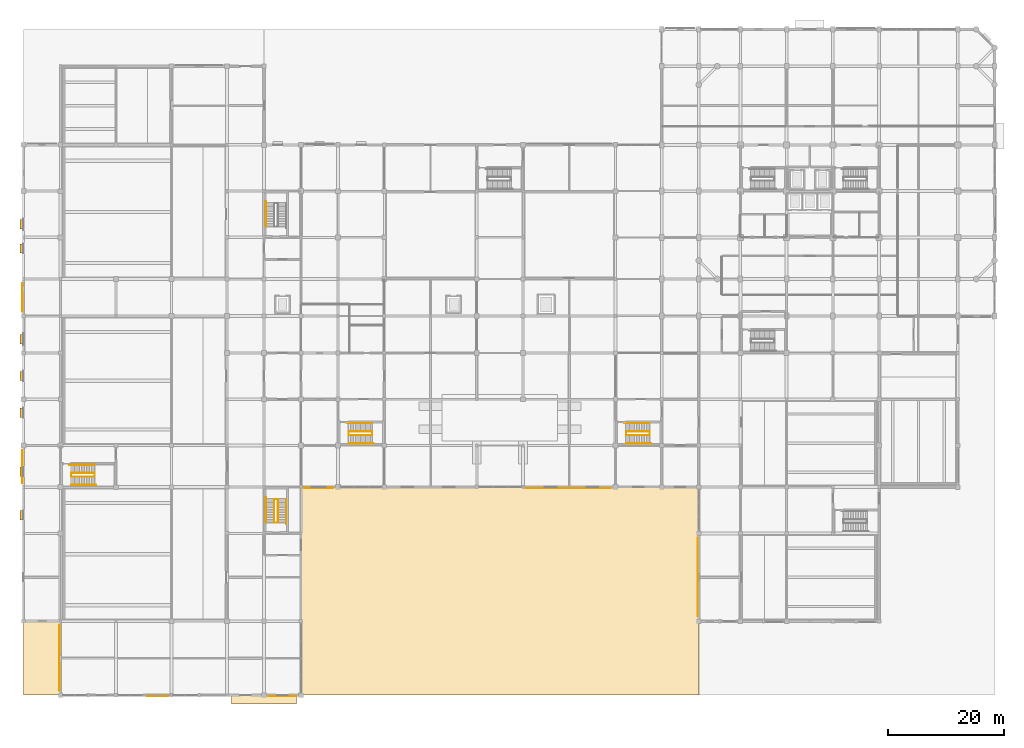
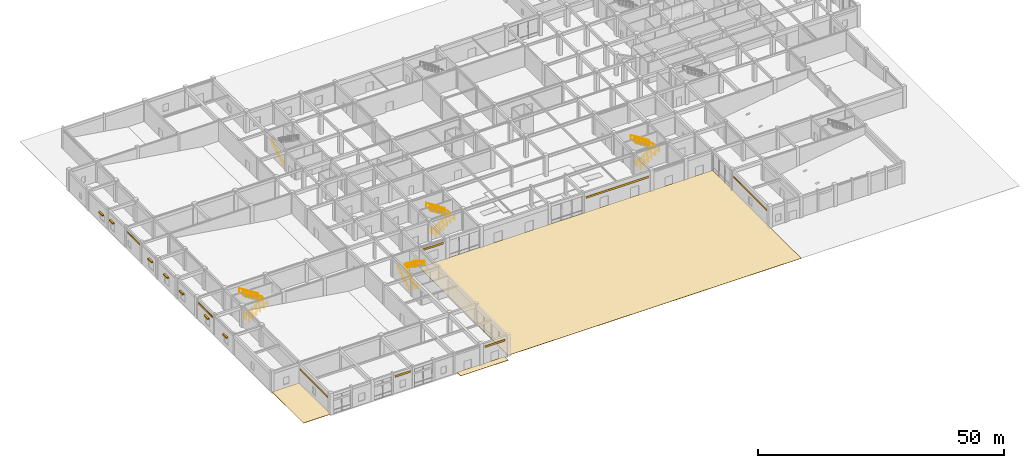
# One storey, part 37 of 40: 17 railings, 11 coverings, 7 shading devices.
"""IFC4 building model written with IfcOpenShell, lengths in metres."""

import ifcopenshell
import ifcopenshell.guid

model = None  # the IFC model being written
_history = None  # IfcOwnerHistory: only IFC2X3 demands one
_inside = {}  # id of a spatial element -> (the spatial element, [elements in it])
_under = {}  # id of a project, library or spatial element -> (it, [spatial elements below it])
_declared = {}  # id of a project -> (the project, [libraries it declares])
_typed = {}  # id of a type object -> (the type object, [elements of that type])
_made_of = {}  # id of a material, layer set ... -> (it, [elements and type objects made of it])


def new_model(schema):
    """Start an empty IFC model of exactly this schema.

    Asked for "IFC4X3", IfcOpenShell would pick the latest addendum, in which some entities
    have other attributes; the version numbers below select the first issue.
    IFC2X3 requires an IfcOwnerHistory on every rooted entity: one is made here for all.
    """
    global model, _history
    if schema == "IFC4X3":
        model = ifcopenshell.file(schema_version=(4, 3, 0, 0))
    else:
        model = ifcopenshell.file(schema=schema)
    _inside.clear()
    _under.clear()
    _declared.clear()
    _typed.clear()
    _made_of.clear()
    _history = None
    if model.schema == "IFC2X3":
        org = make("IfcOrganization", Name="unknown")
        user = make(
            "IfcPersonAndOrganization",
            ThePerson=make("IfcPerson", FamilyName="unknown"),
            TheOrganization=org,
        )
        app = make(
            "IfcApplication",
            ApplicationDeveloper=org,
            Version="unknown",
            ApplicationFullName="unknown",
            ApplicationIdentifier="unknown",
        )
        _history = make(
            "IfcOwnerHistory",
            OwningUser=user,
            OwningApplication=app,
            ChangeAction="ADDED",
            CreationDate=0,
        )
    return model


def make(cls, **values):
    """One entity of the class cls with the attributes given. An attribute that is None is left unset."""
    return model.create_entity(
        cls, **{name: value for name, value in values.items() if value is not None}
    )


def rooted(cls, **values):
    """An entity with a GlobalId (a new one), such as an element, a storey or a relation."""
    return make(cls, GlobalId=ifcopenshell.guid.new(), OwnerHistory=_history, **values)


def si_unit(unit_type, name, prefix=None):
    """IfcSIUnit, for example si_unit("LENGTHUNIT", "METRE", prefix="MILLI")."""
    return make("IfcSIUnit", UnitType=unit_type, Prefix=prefix, Name=name)


def assignment(units):
    """IfcUnitAssignment: the units of a project."""
    return None if units is None else make("IfcUnitAssignment", Units=units)


def point(xyz):
    """IfcCartesianPoint."""
    return None if xyz is None else make("IfcCartesianPoint", Coordinates=xyz)


def direction(xyz):
    """IfcDirection."""
    return None if xyz is None else make("IfcDirection", DirectionRatios=xyz)


def frame(location, z_axis=None, x_axis=None):
    """IfcAxis2Placement3D, a coordinate frame: its origin and axes. An axis left out is left unset."""
    return make(
        "IfcAxis2Placement3D",
        Location=point(location),
        Axis=direction(z_axis),
        RefDirection=direction(x_axis),
    )


def frame_2d(location, x_axis=None):
    """IfcAxis2Placement2D, a coordinate frame in the plane: its origin and x axis."""
    return make(
        "IfcAxis2Placement2D", Location=point(location), RefDirection=direction(x_axis)
    )


def origin():
    """The frame at (0, 0, 0) with its axes left unset."""
    return frame((0.0, 0.0, 0.0))


def origin_2d():
    """The frame at (0, 0) in the plane with its x axis left unset."""
    return frame_2d((0.0, 0.0))


def place(relative_to, where):
    """IfcLocalPlacement: puts the frame where relative to a parent placement (None: the world)."""
    return make(
        "IfcLocalPlacement", PlacementRelTo=relative_to, RelativePlacement=where
    )


def context(
    kind, dimensions, precision=None, world=None, true_north=None, identifier=None
):
    """IfcGeometricRepresentationContext, for example the 3D "Model" context."""
    return make(
        "IfcGeometricRepresentationContext",
        ContextIdentifier=identifier,
        ContextType=kind,
        CoordinateSpaceDimension=dimensions,
        Precision=precision,
        WorldCoordinateSystem=world,
        TrueNorth=true_north,
    )


def subcontext(parent, identifier, kind, view, scale=None):
    """IfcGeometricRepresentationSubContext, for example "Body" below "Model"."""
    return make(
        "IfcGeometricRepresentationSubContext",
        ContextIdentifier=identifier,
        ContextType=kind,
        ParentContext=parent,
        TargetScale=scale,
        TargetView=view,
    )


def project(units=None, contexts=None):
    """IfcProject with its units and contexts."""
    return rooted(
        "IfcProject",
        Name="project",
        RepresentationContexts=contexts,
        UnitsInContext=assignment(units),
    )


def spatial(cls, under=None, at=None, **own):
    """A site, building, storey or space (cls), placed at a placement, below another one or the project."""
    s = rooted(cls, ObjectPlacement=at, **own)
    if under is not None:
        _under.setdefault(under.id(), (under, []))[1].append(s)
    return s


def polyline(points):
    """IfcPolyline through the points."""
    return make("IfcPolyline", Points=[point(p) for p in points])


def profile(cls, at=None, kind="AREA", **sizes):
    """A parametric profile (cls). Its sizes go by their IFC names, for example OverallWidth=200.0."""
    return make(cls, ProfileType=kind, Position=at, **sizes)


def rectangle(**sizes):
    """IfcRectangleProfileDef."""
    return profile("IfcRectangleProfileDef", **sizes)


def circle(**sizes):
    """IfcCircleProfileDef."""
    return profile("IfcCircleProfileDef", **sizes)


def outline(outer, holes=None, kind="AREA"):
    """IfcArbitraryClosedProfileDef: a profile drawn as a closed curve; with holes, ...WithVoids."""
    if holes is None:
        return make("IfcArbitraryClosedProfileDef", ProfileType=kind, OuterCurve=outer)
    return make(
        "IfcArbitraryProfileDefWithVoids",
        ProfileType=kind,
        OuterCurve=outer,
        InnerCurves=holes,
    )


def extrude(swept, where, along, depth):
    """IfcExtrudedAreaSolid: the profile swept, set in the frame where, extruded along a direction by depth."""
    return make(
        "IfcExtrudedAreaSolid",
        SweptArea=swept,
        Position=where,
        ExtrudedDirection=direction(along),
        Depth=depth,
    )


def shape(context_of_items, identifier, shape_type, items):
    """IfcShapeRepresentation: the items that make up one representation, for example the "Body"."""
    return make(
        "IfcShapeRepresentation",
        ContextOfItems=context_of_items,
        RepresentationIdentifier=identifier,
        RepresentationType=shape_type,
        Items=items,
    )


def material(Name=None, Category=None):
    """IfcMaterial."""
    return make("IfcMaterial", Name=Name, Category=Category)


def layer(
    of_material, thickness, ventilated=None, Name=None, Category=None, Priority=None
):
    """IfcMaterialLayer: one layer of a wall or slab, of a material (None: an air gap)."""
    return make(
        "IfcMaterialLayer",
        Material=of_material,
        LayerThickness=thickness,
        IsVentilated=ventilated,
        Name=Name,
        Category=Category,
        Priority=Priority,
    )


def layer_set(layers, Name=None):
    """IfcMaterialLayerSet."""
    return make("IfcMaterialLayerSet", MaterialLayers=layers, LayerSetName=Name)


def made_of(thing, what):
    """Note that an element or type object is made of a material, layer set ...; save() writes the relation."""
    if what is not None:
        _made_of.setdefault(what.id(), (what, []))[1].append(thing)
    return thing


def type_object(cls, material=None, **own):
    """A type object (cls), such as IfcWallType, which elements share."""
    return made_of(rooted(cls, **own), material)


def element(
    cls,
    number,
    at=None,
    inside=None,
    cuts=None,
    type_object=None,
    material=None,
    context=None,
    identifier="Body",
    shape_type=None,
    held_by="IfcProductDefinitionShape",
    body=None,
    shapes=None,
    **own,
):
    """One element of the class cls, such as IfcWall. Its Tag is "e" and its number.

    at: its placement. inside: the storey or other place that contains it. cuts: it is an
    opening in that element (IfcRelVoidsElement). A single representation is given by context,
    identifier, shape_type and body (its items); several are given by shapes. held_by: the class
    of the entity that holds the representations. save() writes the other relations.
    """
    e = rooted(cls, Tag="e%d" % number, ObjectPlacement=at, **own)
    if body is not None:
        shapes = [shape(context, identifier, shape_type, body)]
    if shapes is not None:
        e.Representation = make(held_by, Representations=shapes)
    if inside is not None:
        _inside.setdefault(inside.id(), (inside, []))[1].append(e)
    if cuts is not None:
        rooted(
            "IfcRelVoidsElement", RelatingBuildingElement=cuts, RelatedOpeningElement=e
        )
    if type_object is not None:
        _typed.setdefault(type_object.id(), (type_object, []))[1].append(e)
    return made_of(e, material)


def aggregate(whole, parts):
    """IfcRelAggregates: a whole, such as a stair, and the parts it consists of."""
    return rooted("IfcRelAggregates", RelatingObject=whole, RelatedObjects=parts)


def save(model, path):
    """Write the relations noted so far, then the file.

    IfcRelAggregates (storeys below a building ...), IfcRelContainedInSpatialStructure (elements
    in a storey), IfcRelDefinesByType, IfcRelAssociatesMaterial and IfcRelDeclares: one each for
    every whole, place, type object, material and project.
    """
    for whole, parts in _under.values():
        aggregate(whole, parts)
    for where, things in _inside.values():
        rooted(
            "IfcRelContainedInSpatialStructure",
            RelatedElements=things,
            RelatingStructure=where,
        )
    for kind, things in _typed.values():
        rooted("IfcRelDefinesByType", RelatedObjects=things, RelatingType=kind)
    for what, things in _made_of.values():
        rooted("IfcRelAssociatesMaterial", RelatedObjects=things, RelatingMaterial=what)
    for by, libraries in _declared.values():
        rooted("IfcRelDeclares", RelatingContext=by, RelatedDefinitions=libraries)
    model.write(path)


model = new_model("IFC4")

# Units and contexts
model_context = context("Model", 3, precision=1e-05, world=origin(), true_north=direction((0.0, 1.0)))
body_context = subcontext(model_context, "Body", "Model", "MODEL_VIEW")
ifc_project = project(units=[si_unit("LENGTHUNIT", "METRE"), si_unit("AREAUNIT", "SQUARE_METRE"), si_unit("VOLUMEUNIT", "CUBIC_METRE"), si_unit("PLANEANGLEUNIT", "RADIAN"), si_unit("MASSUNIT", "GRAM", prefix="KILO")], contexts=[model_context])

# Site, building, storey
site_placement = place(None, origin())
site = spatial("IfcSite", under=ifc_project, at=site_placement, CompositionType="ELEMENT")
building_placement = place(site_placement, origin())
building = spatial("IfcBuilding", under=site, at=building_placement, Name="Vellmiral Cinema and Media Centre", CompositionType="ELEMENT")
storey_placement = place(building_placement, origin())
storey = spatial("IfcBuildingStorey", under=building, at=storey_placement, Name="L00", CompositionType="ELEMENT", Elevation=0.0)

# Coverings
ifc_material_1 = material(Name="Basel Rhine Sandstone Paving", Category="masonry")
ifc_layer_1 = layer(ifc_material_1, 0.06005859375, Name="Basel Rhine Sandstone Paving")
ifc_layer_set_1 = layer_set([ifc_layer_1], Name="Basel Rhine Sandstone Paving")
covering_type_1 = type_object("IfcCoveringType", Name="COV-PROM-PAVING", PredefinedType="USERDEFINED", material=ifc_layer_set_1)
covering_1_placement = place(storey_placement, frame((0.0, 0.0, -0.06005859375)))
element("IfcCovering", 1, at=covering_1_placement, inside=storey, type_object=covering_type_1, Name="Rhine Promenade and Courtyard Stone Paving SOUTH-FORECOURT", ObjectType="PAVING", PredefinedType="USERDEFINED", context=body_context, shape_type="SweptSolid", body=[
    extrude(outline(polyline([(48.0, 0.0), (116.800048828125, 0.0), (116.800048828125, 36.0), (48.0, 36.0), (48.0, 0.0)])), origin(), (0.0, 0.0, 1.0), 0.06005859375),
])
covering_2_placement = place(storey_placement, frame((0.0, 0.0, -0.06005859375)))
element("IfcCovering", 2, at=covering_2_placement, inside=storey, type_object=covering_type_1, Name="Rhine Promenade and Courtyard Stone Paving SW-PROMENADE", ObjectType="PAVING", PredefinedType="USERDEFINED", context=body_context, shape_type="SweptSolid", body=[
    extrude(outline(polyline([(0.0, 0.0), (6.39990234375, 0.0), (6.39990234375, 12.800048828125), (0.0, 12.800048828125), (0.0, 0.0)])), origin(), (0.0, 0.0, 1.0), 0.06005859375),
])
covering_3_placement = place(storey_placement, frame((0.0, 0.0, -0.06005859375)))
element("IfcCovering", 3, at=covering_3_placement, inside=storey, type_object=covering_type_1, Name="Rhine Promenade and Courtyard Stone Paving SW-THRESHOLD", ObjectType="PAVING", PredefinedType="USERDEFINED", context=body_context, shape_type="SweptSolid", body=[
    extrude(outline(polyline([(36.0, -1.5), (47.199951171875, -1.5), (47.199951171875, 0.0), (36.0, 0.0), (36.0, -1.5)])), origin(), (0.0, 0.0, 1.0), 0.06005859375),
])
ifc_material_2 = material(Name="Polychrome Trencadis Ceramic Mosaic")
ifc_layer_2 = layer(ifc_material_2, 0.034912109375, Name="Polychrome Trencadis Ceramic Mosaic")
ifc_layer_set_2 = layer_set([ifc_layer_2], Name="Polychrome Trencadis Ceramic Mosaic")
covering_type_2 = type_object("IfcCoveringType", Name="COV-TRENCADIS-CLAD", PredefinedType="CLADDING", material=ifc_layer_set_2)
covering_4_placement = place(storey_placement, frame((0.0, 0.0, 3.9599609375)))
element("IfcCovering", 4, at=covering_4_placement, inside=storey, type_object=covering_type_2, Name="Trencadis Spandrel Mosaic L00-004", PredefinedType="CLADDING", context=body_context, shape_type="SweptSolid", body=[
    extrude(outline(polyline([(21.375, -0.2080078125), (25.0, -0.2080078125), (25.0, -0.173095703125), (21.375, -0.173095703125), (21.375, -0.2080078125)])), origin(), (0.0, 0.0, 1.0), 0.47998046875),
])
covering_5_placement = place(storey_placement, frame((0.0, 0.0, 3.945068359375)))
element("IfcCovering", 5, at=covering_5_placement, inside=storey, type_object=covering_type_2, Name="Trencadis Spandrel Mosaic L00-008", PredefinedType="CLADDING", context=body_context, shape_type="SweptSolid", body=[
    extrude(outline(polyline([(42.425048828125, -0.2080078125), (47.199951171875, -0.2080078125), (47.199951171875, -0.173095703125), (42.425048828125, -0.173095703125), (42.425048828125, -0.2080078125)])), origin(), (0.0, 0.0, 1.0), 0.47998046875),
])
covering_6_placement = place(storey_placement, frame((0.0, 0.0, 3.9599609375)))
element("IfcCovering", 6, at=covering_6_placement, inside=storey, type_object=covering_type_2, Name="Trencadis Spandrel Mosaic L00-012", PredefinedType="CLADDING", context=body_context, shape_type="SweptSolid", body=[
    extrude(outline(polyline([(48.60009765625, 35.822021484375), (53.574951171875, 35.822021484375), (53.574951171875, 35.85693359375), (48.60009765625, 35.85693359375), (48.60009765625, 35.822021484375)])), origin(), (0.0, 0.0, 1.0), 0.47998046875),
])
covering_7_placement = place(storey_placement, frame((0.0, 0.0, 3.544921875)))
element("IfcCovering", 7, at=covering_7_placement, inside=storey, type_object=covering_type_2, Name="Trencadis Spandrel Mosaic L00-016", PredefinedType="CLADDING", context=body_context, shape_type="SweptSolid", body=[
    extrude(outline(polyline([(87.0, 35.7919921875), (101.574951171875, 35.7919921875), (101.574951171875, 35.826904296875), (87.0, 35.826904296875), (87.0, 35.7919921875)])), origin(), (0.0, 0.0, 1.0), 0.47998046875),
])
covering_8_placement = place(storey_placement, frame((0.0, 0.0, 3.4951171875)))
element("IfcCovering", 8, at=covering_8_placement, inside=storey, type_object=covering_type_2, Name="Trencadis Spandrel Mosaic L00-020", PredefinedType="CLADDING", context=body_context, shape_type="SweptSolid", body=[
    extrude(outline(polyline([(116.592041015625, 27.22509765625), (116.592041015625, 13.625), (116.626953125, 13.625), (116.626953125, 27.22509765625), (116.592041015625, 27.22509765625)])), origin(), (0.0, 0.0, 1.0), 0.47998046875),
])
covering_9_placement = place(storey_placement, frame((0.0, 0.0, 3.9599609375)))
element("IfcCovering", 9, at=covering_9_placement, inside=storey, type_object=covering_type_2, Name="Trencadis Spandrel Mosaic L00-072", PredefinedType="CLADDING", context=body_context, shape_type="SweptSolid", body=[
    extrude(outline(polyline([(-0.177978515625, 71.300048828125), (-0.177978515625, 66.324951171875), (-0.14306640625, 66.324951171875), (-0.14306640625, 71.300048828125), (-0.177978515625, 71.300048828125)])), origin(), (0.0, 0.0, 1.0), 0.47998046875),
])
covering_10_placement = place(storey_placement, frame((0.0, 0.0, 3.945068359375)))
element("IfcCovering", 10, at=covering_10_placement, inside=storey, type_object=covering_type_2, Name="Trencadis Spandrel Mosaic L00-076", PredefinedType="CLADDING", context=body_context, shape_type="SweptSolid", body=[
    extrude(outline(polyline([(-0.2080078125, 42.375), (-0.2080078125, 36.64990234375), (-0.173095703125, 36.64990234375), (-0.173095703125, 42.375), (-0.2080078125, 42.375)])), origin(), (0.0, 0.0, 1.0), 0.47998046875),
])
covering_11_placement = place(storey_placement, frame((0.0, 0.0, 3.544921875)))
element("IfcCovering", 11, at=covering_11_placement, inside=storey, type_object=covering_type_2, Name="Trencadis Spandrel Mosaic L00-080", PredefinedType="CLADDING", context=body_context, shape_type="SweptSolid", body=[
    extrude(outline(polyline([(6.19189453125, 12.10009765625), (6.19189453125, 0.77490234375), (6.22705078125, 0.77490234375), (6.22705078125, 12.10009765625), (6.19189453125, 12.10009765625)])), origin(), (0.0, 0.0, 1.0), 0.47998046875),
])

# Railings
ifc_material_3 = material(Name="Brushed Stainless Steel Handrail", Category="steel")
railing_type_1 = type_object("IfcRailingType", Name="RL-HANDRAIL-900", PredefinedType="HANDRAIL", material=ifc_material_3)
railing_1_placement = place(storey_placement, frame((41.9599609375, 29.85009765625, 0.179931640625)))
element("IfcRailing", 12, at=railing_1_placement, inside=storey, type_object=railing_type_1, Name="Stair Wall Handrail ST-P1 L00-1", PredefinedType="HANDRAIL", context=body_context, shape_type="SweptSolid", body=[
    extrude(circle(Radius=0.02392578125, at=origin_2d()), frame((0.0, 0.0, 0.8759765625), z_axis=(0.0, 0.849636482215, 0.527368797038), x_axis=(-1.0, 0.0, 0.0)), (0.0, 0.0, 1.0), 5.11962890625),
    extrude(circle(Radius=0.02099609375, at=origin_2d()), origin(), (0.0, 0.0, 1.0), 0.851806640625),
    extrude(circle(Radius=0.02099609375, at=origin_2d()), frame((0.0, 0.869873046875, 0.5400390625)), (0.0, 0.0, 1.0), 0.851806640625),
    extrude(circle(Radius=0.02099609375, at=origin_2d()), frame((0.0, 1.739990234375, 1.080078125)), (0.0, 0.0, 1.0), 0.851806640625),
    extrude(circle(Radius=0.02099609375, at=origin_2d()), frame((0.0, 2.60986328125, 1.619873046875)), (0.0, 0.0, 1.0), 0.851806640625),
    extrude(circle(Radius=0.02099609375, at=origin_2d()), frame((0.0, 3.47998046875, 2.159912109375)), (0.0, 0.0, 1.0), 0.851806640625),
    extrude(circle(Radius=0.02099609375, at=origin_2d()), frame((0.0, 4.349853515625, 2.699951171875)), (0.0, 0.0, 1.0), 0.851806640625),
])
railing_2_placement = place(storey_placement, frame((45.43994140625, 33.909912109375, 2.8798828125)))
element("IfcRailing", 13, at=railing_2_placement, inside=storey, type_object=railing_type_1, Name="Stair Wall Handrail ST-P1 L00-2", PredefinedType="HANDRAIL", context=body_context, shape_type="SweptSolid", body=[
    extrude(circle(Radius=0.02392578125, at=origin_2d()), frame((0.0, 0.0, 0.8759765625), z_axis=(0.0, -0.849615114927, 0.52740322002), x_axis=(1.0, 0.0, 0.0)), (0.0, 0.0, 1.0), 5.119873046875),
    extrude(circle(Radius=0.02099609375, at=origin_2d()), origin(), (0.0, 0.0, 1.0), 0.851806640625),
    extrude(circle(Radius=0.02099609375, at=origin_2d()), frame((0.0, -0.869873046875, 0.5400390625)), (0.0, 0.0, 1.0), 0.851806640625),
    extrude(circle(Radius=0.02099609375, at=origin_2d()), frame((0.0, -1.739990234375, 1.080078125)), (0.0, 0.0, 1.0), 0.851806640625),
    extrude(circle(Radius=0.02099609375, at=origin_2d()), frame((0.0, -2.60986328125, 1.6201171875)), (0.0, 0.0, 1.0), 0.851806640625),
    extrude(circle(Radius=0.02099609375, at=origin_2d()), frame((0.0, -3.47998046875, 2.16015625)), (0.0, 0.0, 1.0), 0.851806640625),
    extrude(circle(Radius=0.02099609375, at=origin_2d()), frame((0.0, -4.349853515625, 2.7001953125)), (0.0, 0.0, 1.0), 0.851806640625),
])
railing_3_placement = place(storey_placement, frame((41.9599609375, 81.050048828125, 0.179931640625)))
element("IfcRailing", 14, at=railing_3_placement, inside=storey, type_object=railing_type_1, Name="Stair Wall Handrail ST-P2 L00-1", PredefinedType="HANDRAIL", context=body_context, shape_type="SweptSolid", body=[
    extrude(circle(Radius=0.02392578125, at=origin_2d()), frame((0.0, 0.0, 0.8759765625), z_axis=(0.0, 0.849636482215, 0.527368797038), x_axis=(-1.0, 0.0, 0.0)), (0.0, 0.0, 1.0), 5.11962890625),
    extrude(circle(Radius=0.02099609375, at=origin_2d()), origin(), (0.0, 0.0, 1.0), 0.851806640625),
    extrude(circle(Radius=0.02099609375, at=origin_2d()), frame((0.0, 0.869873046875, 0.5400390625)), (0.0, 0.0, 1.0), 0.851806640625),
    extrude(circle(Radius=0.02099609375, at=origin_2d()), frame((0.0, 1.739990234375, 1.080078125)), (0.0, 0.0, 1.0), 0.851806640625),
    extrude(circle(Radius=0.02099609375, at=origin_2d()), frame((0.0, 2.60986328125, 1.619873046875)), (0.0, 0.0, 1.0), 0.851806640625),
    extrude(circle(Radius=0.02099609375, at=origin_2d()), frame((0.0, 3.47998046875, 2.159912109375)), (0.0, 0.0, 1.0), 0.851806640625),
    extrude(circle(Radius=0.02099609375, at=origin_2d()), frame((0.0, 4.349853515625, 2.699951171875)), (0.0, 0.0, 1.0), 0.851806640625),
])
railing_4_placement = place(storey_placement, frame((56.25, 43.56005859375, 0.179931640625)))
element("IfcRailing", 15, at=railing_4_placement, inside=storey, type_object=railing_type_1, Name="Stair Wall Handrail ST-P3 L00-1", PredefinedType="HANDRAIL", context=body_context, shape_type="SweptSolid", body=[
    extrude(circle(Radius=0.02392578125, at=origin_2d()), frame((0.0, 0.0, 0.8759765625), z_axis=(0.849649743971, 0.0, 0.527347430608), x_axis=(0.0, 1.0, 0.0)), (0.0, 0.0, 1.0), 5.119873046875),
    extrude(circle(Radius=0.02099609375, at=origin_2d()), origin(), (0.0, 0.0, 1.0), 0.851806640625),
    extrude(circle(Radius=0.02099609375, at=origin_2d()), frame((0.8701171875, 0.0, 0.5400390625)), (0.0, 0.0, 1.0), 0.851806640625),
    extrude(circle(Radius=0.02099609375, at=origin_2d()), frame((1.739990234375, 0.0, 1.080078125)), (0.0, 0.0, 1.0), 0.851806640625),
    extrude(circle(Radius=0.02099609375, at=origin_2d()), frame((2.610107421875, 0.0, 1.619873046875)), (0.0, 0.0, 1.0), 0.851806640625),
    extrude(circle(Radius=0.02099609375, at=origin_2d()), frame((3.47998046875, 0.0, 2.159912109375)), (0.0, 0.0, 1.0), 0.851806640625),
    extrude(circle(Radius=0.02099609375, at=origin_2d()), frame((4.35009765625, 0.0, 2.699951171875)), (0.0, 0.0, 1.0), 0.851806640625),
])
railing_5_placement = place(storey_placement, frame((60.31005859375, 47.0400390625, 2.8798828125)))
element("IfcRailing", 16, at=railing_5_placement, inside=storey, type_object=railing_type_1, Name="Stair Wall Handrail ST-P3 L00-2", PredefinedType="HANDRAIL", context=body_context, shape_type="SweptSolid", body=[
    extrude(circle(Radius=0.02392578125, at=origin_2d()), frame((0.0, 0.0, 0.8759765625), z_axis=(-0.849628378081, 0.0, 0.527381853271), x_axis=(0.0, -1.0, 0.0)), (0.0, 0.0, 1.0), 5.1201171875),
    extrude(circle(Radius=0.02099609375, at=origin_2d()), origin(), (0.0, 0.0, 1.0), 0.851806640625),
    extrude(circle(Radius=0.02099609375, at=origin_2d()), frame((-0.8701171875, 0.0, 0.5400390625)), (0.0, 0.0, 1.0), 0.851806640625),
    extrude(circle(Radius=0.02099609375, at=origin_2d()), frame((-1.739990234375, 0.0, 1.080078125)), (0.0, 0.0, 1.0), 0.851806640625),
    extrude(circle(Radius=0.02099609375, at=origin_2d()), frame((-2.610107421875, 0.0, 1.6201171875)), (0.0, 0.0, 1.0), 0.851806640625),
    extrude(circle(Radius=0.02099609375, at=origin_2d()), frame((-3.47998046875, 0.0, 2.16015625)), (0.0, 0.0, 1.0), 0.851806640625),
    extrude(circle(Radius=0.02099609375, at=origin_2d()), frame((-4.35009765625, 0.0, 2.7001953125)), (0.0, 0.0, 1.0), 0.851806640625),
])
railing_6_placement = place(storey_placement, frame((104.25, 43.56005859375, 0.179931640625)))
element("IfcRailing", 17, at=railing_6_placement, inside=storey, type_object=railing_type_1, Name="Stair Wall Handrail ST-P4 L00-1", PredefinedType="HANDRAIL", context=body_context, shape_type="SweptSolid", body=[
    extrude(circle(Radius=0.02392578125, at=origin_2d()), frame((0.0, 0.0, 0.8759765625), z_axis=(0.849649743971, 0.0, 0.527347430608), x_axis=(0.0, 1.0, 0.0)), (0.0, 0.0, 1.0), 5.119873046875),
    extrude(circle(Radius=0.02099609375, at=origin_2d()), origin(), (0.0, 0.0, 1.0), 0.851806640625),
    extrude(circle(Radius=0.02099609375, at=origin_2d()), frame((0.8701171875, 0.0, 0.5400390625)), (0.0, 0.0, 1.0), 0.851806640625),
    extrude(circle(Radius=0.02099609375, at=origin_2d()), frame((1.739990234375, 0.0, 1.080078125)), (0.0, 0.0, 1.0), 0.851806640625),
    extrude(circle(Radius=0.02099609375, at=origin_2d()), frame((2.610107421875, 0.0, 1.619873046875)), (0.0, 0.0, 1.0), 0.851806640625),
    extrude(circle(Radius=0.02099609375, at=origin_2d()), frame((3.47998046875, 0.0, 2.159912109375)), (0.0, 0.0, 1.0), 0.851806640625),
    extrude(circle(Radius=0.02099609375, at=origin_2d()), frame((4.35009765625, 0.0, 2.699951171875)), (0.0, 0.0, 1.0), 0.851806640625),
])
railing_7_placement = place(storey_placement, frame((108.31005859375, 47.0400390625, 2.8798828125)))
element("IfcRailing", 18, at=railing_7_placement, inside=storey, type_object=railing_type_1, Name="Stair Wall Handrail ST-P4 L00-2", PredefinedType="HANDRAIL", context=body_context, shape_type="SweptSolid", body=[
    extrude(circle(Radius=0.02392578125, at=origin_2d()), frame((0.0, 0.0, 0.8759765625), z_axis=(-0.849628378081, 0.0, 0.527381853271), x_axis=(0.0, -1.0, 0.0)), (0.0, 0.0, 1.0), 5.1201171875),
    extrude(circle(Radius=0.02099609375, at=origin_2d()), origin(), (0.0, 0.0, 1.0), 0.851806640625),
    extrude(circle(Radius=0.02099609375, at=origin_2d()), frame((-0.8701171875, 0.0, 0.5400390625)), (0.0, 0.0, 1.0), 0.851806640625),
    extrude(circle(Radius=0.02099609375, at=origin_2d()), frame((-1.739990234375, 0.0, 1.080078125)), (0.0, 0.0, 1.0), 0.851806640625),
    extrude(circle(Radius=0.02099609375, at=origin_2d()), frame((-2.610107421875, 0.0, 1.6201171875)), (0.0, 0.0, 1.0), 0.851806640625),
    extrude(circle(Radius=0.02099609375, at=origin_2d()), frame((-3.47998046875, 0.0, 2.16015625)), (0.0, 0.0, 1.0), 0.851806640625),
    extrude(circle(Radius=0.02099609375, at=origin_2d()), frame((-4.35009765625, 0.0, 2.7001953125)), (0.0, 0.0, 1.0), 0.851806640625),
])
railing_8_placement = place(storey_placement, frame((8.25, 36.360107421875, 0.179931640625)))
element("IfcRailing", 19, at=railing_8_placement, inside=storey, type_object=railing_type_1, Name="Stair Wall Handrail ST-P7 L00-1", PredefinedType="HANDRAIL", context=body_context, shape_type="SweptSolid", body=[
    extrude(circle(Radius=0.02392578125, at=origin_2d()), frame((0.0, 0.0, 0.8759765625), z_axis=(0.849649743971, 0.0, 0.527347430608), x_axis=(0.0, 1.0, 0.0)), (0.0, 0.0, 1.0), 5.119873046875),
    extrude(circle(Radius=0.02099609375, at=origin_2d()), origin(), (0.0, 0.0, 1.0), 0.851806640625),
    extrude(circle(Radius=0.02099609375, at=origin_2d()), frame((0.8701171875, 0.0, 0.5400390625)), (0.0, 0.0, 1.0), 0.851806640625),
    extrude(circle(Radius=0.02099609375, at=origin_2d()), frame((1.739990234375, 0.0, 1.080078125)), (0.0, 0.0, 1.0), 0.851806640625),
    extrude(circle(Radius=0.02099609375, at=origin_2d()), frame((2.610107421875, 0.0, 1.619873046875)), (0.0, 0.0, 1.0), 0.851806640625),
    extrude(circle(Radius=0.02099609375, at=origin_2d()), frame((3.47998046875, 0.0, 2.159912109375)), (0.0, 0.0, 1.0), 0.851806640625),
    extrude(circle(Radius=0.02099609375, at=origin_2d()), frame((4.35009765625, 0.0, 2.699951171875)), (0.0, 0.0, 1.0), 0.851806640625),
])
railing_9_placement = place(storey_placement, frame((12.31005859375, 39.840087890625, 2.8798828125)))
element("IfcRailing", 20, at=railing_9_placement, inside=storey, type_object=railing_type_1, Name="Stair Wall Handrail ST-P7 L00-2", PredefinedType="HANDRAIL", context=body_context, shape_type="SweptSolid", body=[
    extrude(circle(Radius=0.02392578125, at=origin_2d()), frame((0.0, 0.0, 0.8759765625), z_axis=(-0.849628378081, 0.0, 0.527381853271), x_axis=(0.0, -1.0, 0.0)), (0.0, 0.0, 1.0), 5.1201171875),
    extrude(circle(Radius=0.02099609375, at=origin_2d()), origin(), (0.0, 0.0, 1.0), 0.851806640625),
    extrude(circle(Radius=0.02099609375, at=origin_2d()), frame((-0.8701171875, 0.0, 0.5400390625)), (0.0, 0.0, 1.0), 0.851806640625),
    extrude(circle(Radius=0.02099609375, at=origin_2d()), frame((-1.739990234375, 0.0, 1.080078125)), (0.0, 0.0, 1.0), 0.851806640625),
    extrude(circle(Radius=0.02099609375, at=origin_2d()), frame((-2.610107421875, 0.0, 1.6201171875)), (0.0, 0.0, 1.0), 0.851806640625),
    extrude(circle(Radius=0.02099609375, at=origin_2d()), frame((-3.47998046875, 0.0, 2.16015625)), (0.0, 0.0, 1.0), 0.851806640625),
    extrude(circle(Radius=0.02099609375, at=origin_2d()), frame((-4.35009765625, 0.0, 2.7001953125)), (0.0, 0.0, 1.0), 0.851806640625),
])
ifc_material_4 = material(Name="Painted Steel Stair Guardrail", Category="steel")
railing_type_2 = type_object("IfcRailingType", Name="RL-STAIR-GUARD-1120", PredefinedType="GUARDRAIL", material=ifc_material_4)
railing_10_placement = place(storey_placement, frame((43.97998046875, 29.85009765625, 0.0)))
element("IfcRailing", 21, at=railing_10_placement, inside=storey, type_object=railing_type_2, Name="Stair Well Guard ST-P1 L00-A", PredefinedType="GUARDRAIL", context=body_context, shape_type="SweptSolid", body=[
    extrude(circle(Radius=0.02392578125, at=origin_2d()), frame((0.0, 0.0, 1.09619140625), z_axis=(-1.0, 0.0, 0.0), x_axis=(0.0, -1.0, 0.0)), (0.0, 0.0, 1.0), 0.60009765625),
    extrude(circle(Radius=0.02392578125, at=origin_2d()), frame((-0.60009765625, 0.0, 1.09619140625), z_axis=(0.0, 0.832673761873, 0.553763854264), x_axis=(-1.0, 0.0, 0.0)), (0.0, 0.0, 1.0), 4.875732421875),
    extrude(circle(Radius=0.02392578125, at=origin_2d()), frame((-0.60009765625, 4.059814453125, 3.7958984375), z_axis=(1.0, 0.0, 0.0), x_axis=(0.0, 1.0, 0.0)), (0.0, 0.0, 1.0), 0.64013671875),
    extrude(circle(Radius=0.02099609375, at=origin_2d()), origin(), (0.0, 0.0, 1.0), 1.072021484375),
    extrude(circle(Radius=0.02099609375, at=origin_2d()), frame((-0.60009765625, 0.0, 0.0)), (0.0, 0.0, 1.0), 1.072021484375),
    extrude(circle(Radius=0.02099609375, at=origin_2d()), frame((-0.60009765625, 0.81201171875, 0.5400390625)), (0.0, 0.0, 1.0), 1.072021484375),
    extrude(circle(Radius=0.02099609375, at=origin_2d()), frame((-0.60009765625, 1.6240234375, 1.080078125)), (0.0, 0.0, 1.0), 1.072021484375),
    extrude(circle(Radius=0.02099609375, at=origin_2d()), frame((-0.60009765625, 2.435791015625, 1.619873046875)), (0.0, 0.0, 1.0), 1.072021484375),
    extrude(circle(Radius=0.02099609375, at=origin_2d()), frame((-0.60009765625, 3.247802734375, 2.159912109375)), (0.0, 0.0, 1.0), 1.072021484375),
    extrude(circle(Radius=0.02099609375, at=origin_2d()), frame((-0.60009765625, 4.059814453125, 2.699951171875)), (0.0, 0.0, 1.0), 1.072021484375),
    extrude(circle(Radius=0.02099609375, at=origin_2d()), frame((0.0400390625, 4.059814453125, 2.699951171875)), (0.0, 0.0, 1.0), 1.072021484375),
])
railing_11_placement = place(storey_placement, frame((44.02001953125, 33.909912109375, 2.699951171875)))
element("IfcRailing", 22, at=railing_11_placement, inside=storey, type_object=railing_type_2, Name="Stair Well Guard ST-P1 L00-B", PredefinedType="GUARDRAIL", context=body_context, shape_type="SweptSolid", body=[
    extrude(circle(Radius=0.02392578125, at=origin_2d()), frame((0.0, 0.0, 1.09619140625), z_axis=(0.0, -0.832673761873, 0.553763854264), x_axis=(1.0, 0.0, 0.0)), (0.0, 0.0, 1.0), 4.875732421875),
    extrude(circle(Radius=0.02099609375, at=origin_2d()), origin(), (0.0, 0.0, 1.0), 1.072021484375),
    extrude(circle(Radius=0.02099609375, at=origin_2d()), frame((0.0, -0.81201171875, 0.5400390625)), (0.0, 0.0, 1.0), 1.072021484375),
    extrude(circle(Radius=0.02099609375, at=origin_2d()), frame((0.0, -1.6240234375, 1.080078125)), (0.0, 0.0, 1.0), 1.072021484375),
    extrude(circle(Radius=0.02099609375, at=origin_2d()), frame((0.0, -2.435791015625, 1.619873046875)), (0.0, 0.0, 1.0), 1.072021484375),
    extrude(circle(Radius=0.02099609375, at=origin_2d()), frame((0.0, -3.247802734375, 2.159912109375)), (0.0, 0.0, 1.0), 1.072021484375),
    extrude(circle(Radius=0.02099609375, at=origin_2d()), frame((0.0, -4.059814453125, 2.699951171875)), (0.0, 0.0, 1.0), 1.072021484375),
])
railing_12_placement = place(storey_placement, frame((56.25, 45.580078125, 0.0)))
element("IfcRailing", 23, at=railing_12_placement, inside=storey, type_object=railing_type_2, Name="Stair Well Guard ST-P3 L00-A", PredefinedType="GUARDRAIL", context=body_context, shape_type="SweptSolid", body=[
    extrude(circle(Radius=0.02392578125, at=origin_2d()), frame((0.0, 0.0, 1.09619140625), z_axis=(0.0, -1.0, 0.0), x_axis=(1.0, 0.0, 0.0)), (0.0, 0.0, 1.0), 0.60009765625),
    extrude(circle(Radius=0.02392578125, at=origin_2d()), frame((0.0, -0.60009765625, 1.09619140625), z_axis=(0.8326891162, 0.0, 0.553740765848), x_axis=(0.0, 1.0, 0.0)), (0.0, 0.0, 1.0), 4.875732421875),
    extrude(circle(Radius=0.02392578125, at=origin_2d()), frame((4.06005859375, -0.60009765625, 3.7958984375), z_axis=(0.0, 1.0, 0.0), x_axis=(-1.0, 0.0, 0.0)), (0.0, 0.0, 1.0), 0.64013671875),
    extrude(circle(Radius=0.02099609375, at=origin_2d()), origin(), (0.0, 0.0, 1.0), 1.072021484375),
    extrude(circle(Radius=0.02099609375, at=origin_2d()), frame((0.0, -0.60009765625, 0.0)), (0.0, 0.0, 1.0), 1.072021484375),
    extrude(circle(Radius=0.02099609375, at=origin_2d()), frame((0.81201171875, -0.60009765625, 0.5400390625)), (0.0, 0.0, 1.0), 1.072021484375),
    extrude(circle(Radius=0.02099609375, at=origin_2d()), frame((1.6240234375, -0.60009765625, 1.080078125)), (0.0, 0.0, 1.0), 1.072021484375),
    extrude(circle(Radius=0.02099609375, at=origin_2d()), frame((2.43603515625, -0.60009765625, 1.619873046875)), (0.0, 0.0, 1.0), 1.072021484375),
    extrude(circle(Radius=0.02099609375, at=origin_2d()), frame((3.248046875, -0.60009765625, 2.159912109375)), (0.0, 0.0, 1.0), 1.072021484375),
    extrude(circle(Radius=0.02099609375, at=origin_2d()), frame((4.06005859375, -0.60009765625, 2.699951171875)), (0.0, 0.0, 1.0), 1.072021484375),
    extrude(circle(Radius=0.02099609375, at=origin_2d()), frame((4.06005859375, 0.0400390625, 2.699951171875)), (0.0, 0.0, 1.0), 1.072021484375),
])
railing_13_placement = place(storey_placement, frame((60.31005859375, 45.6201171875, 2.699951171875)))
element("IfcRailing", 24, at=railing_13_placement, inside=storey, type_object=railing_type_2, Name="Stair Well Guard ST-P3 L00-B", PredefinedType="GUARDRAIL", context=body_context, shape_type="SweptSolid", body=[
    extrude(circle(Radius=0.02392578125, at=origin_2d()), frame((0.0, 0.0, 1.09619140625), z_axis=(-0.8326891162, 0.0, 0.553740765848), x_axis=(0.0, -1.0, 0.0)), (0.0, 0.0, 1.0), 4.875732421875),
    extrude(circle(Radius=0.02099609375, at=origin_2d()), origin(), (0.0, 0.0, 1.0), 1.072021484375),
    extrude(circle(Radius=0.02099609375, at=origin_2d()), frame((-0.81201171875, 0.0, 0.5400390625)), (0.0, 0.0, 1.0), 1.072021484375),
    extrude(circle(Radius=0.02099609375, at=origin_2d()), frame((-1.6240234375, 0.0, 1.080078125)), (0.0, 0.0, 1.0), 1.072021484375),
    extrude(circle(Radius=0.02099609375, at=origin_2d()), frame((-2.43603515625, 0.0, 1.619873046875)), (0.0, 0.0, 1.0), 1.072021484375),
    extrude(circle(Radius=0.02099609375, at=origin_2d()), frame((-3.248046875, 0.0, 2.159912109375)), (0.0, 0.0, 1.0), 1.072021484375),
    extrude(circle(Radius=0.02099609375, at=origin_2d()), frame((-4.06005859375, 0.0, 2.699951171875)), (0.0, 0.0, 1.0), 1.072021484375),
])
railing_14_placement = place(storey_placement, frame((104.25, 45.580078125, 0.0)))
element("IfcRailing", 25, at=railing_14_placement, inside=storey, type_object=railing_type_2, Name="Stair Well Guard ST-P4 L00-A", PredefinedType="GUARDRAIL", context=body_context, shape_type="SweptSolid", body=[
    extrude(circle(Radius=0.02392578125, at=origin_2d()), frame((0.0, 0.0, 1.09619140625), z_axis=(0.0, -1.0, 0.0), x_axis=(1.0, 0.0, 0.0)), (0.0, 0.0, 1.0), 0.60009765625),
    extrude(circle(Radius=0.02392578125, at=origin_2d()), frame((0.0, -0.60009765625, 1.09619140625), z_axis=(0.8326891162, 0.0, 0.553740765848), x_axis=(0.0, 1.0, 0.0)), (0.0, 0.0, 1.0), 4.875732421875),
    extrude(circle(Radius=0.02392578125, at=origin_2d()), frame((4.06005859375, -0.60009765625, 3.7958984375), z_axis=(0.0, 1.0, 0.0), x_axis=(-1.0, 0.0, 0.0)), (0.0, 0.0, 1.0), 0.64013671875),
    extrude(circle(Radius=0.02099609375, at=origin_2d()), origin(), (0.0, 0.0, 1.0), 1.072021484375),
    extrude(circle(Radius=0.02099609375, at=origin_2d()), frame((0.0, -0.60009765625, 0.0)), (0.0, 0.0, 1.0), 1.072021484375),
    extrude(circle(Radius=0.02099609375, at=origin_2d()), frame((0.81201171875, -0.60009765625, 0.5400390625)), (0.0, 0.0, 1.0), 1.072021484375),
    extrude(circle(Radius=0.02099609375, at=origin_2d()), frame((1.6240234375, -0.60009765625, 1.080078125)), (0.0, 0.0, 1.0), 1.072021484375),
    extrude(circle(Radius=0.02099609375, at=origin_2d()), frame((2.43603515625, -0.60009765625, 1.619873046875)), (0.0, 0.0, 1.0), 1.072021484375),
    extrude(circle(Radius=0.02099609375, at=origin_2d()), frame((3.248046875, -0.60009765625, 2.159912109375)), (0.0, 0.0, 1.0), 1.072021484375),
    extrude(circle(Radius=0.02099609375, at=origin_2d()), frame((4.06005859375, -0.60009765625, 2.699951171875)), (0.0, 0.0, 1.0), 1.072021484375),
    extrude(circle(Radius=0.02099609375, at=origin_2d()), frame((4.06005859375, 0.0400390625, 2.699951171875)), (0.0, 0.0, 1.0), 1.072021484375),
])
railing_15_placement = place(storey_placement, frame((108.31005859375, 45.6201171875, 2.699951171875)))
element("IfcRailing", 26, at=railing_15_placement, inside=storey, type_object=railing_type_2, Name="Stair Well Guard ST-P4 L00-B", PredefinedType="GUARDRAIL", context=body_context, shape_type="SweptSolid", body=[
    extrude(circle(Radius=0.02392578125, at=origin_2d()), frame((0.0, 0.0, 1.09619140625), z_axis=(-0.8326891162, 0.0, 0.553740765848), x_axis=(0.0, -1.0, 0.0)), (0.0, 0.0, 1.0), 4.875732421875),
    extrude(circle(Radius=0.02099609375, at=origin_2d()), origin(), (0.0, 0.0, 1.0), 1.072021484375),
    extrude(circle(Radius=0.02099609375, at=origin_2d()), frame((-0.81201171875, 0.0, 0.5400390625)), (0.0, 0.0, 1.0), 1.072021484375),
    extrude(circle(Radius=0.02099609375, at=origin_2d()), frame((-1.6240234375, 0.0, 1.080078125)), (0.0, 0.0, 1.0), 1.072021484375),
    extrude(circle(Radius=0.02099609375, at=origin_2d()), frame((-2.43603515625, 0.0, 1.619873046875)), (0.0, 0.0, 1.0), 1.072021484375),
    extrude(circle(Radius=0.02099609375, at=origin_2d()), frame((-3.248046875, 0.0, 2.159912109375)), (0.0, 0.0, 1.0), 1.072021484375),
    extrude(circle(Radius=0.02099609375, at=origin_2d()), frame((-4.06005859375, 0.0, 2.699951171875)), (0.0, 0.0, 1.0), 1.072021484375),
])
railing_16_placement = place(storey_placement, frame((8.25, 38.3798828125, 0.0)))
element("IfcRailing", 27, at=railing_16_placement, inside=storey, type_object=railing_type_2, Name="Stair Well Guard ST-P7 L00-A", PredefinedType="GUARDRAIL", context=body_context, shape_type="SweptSolid", body=[
    extrude(circle(Radius=0.02392578125, at=origin_2d()), frame((0.0, 0.0, 1.09619140625), z_axis=(0.0, -1.0, 0.0), x_axis=(1.0, 0.0, 0.0)), (0.0, 0.0, 1.0), 0.599853515625),
    extrude(circle(Radius=0.02392578125, at=origin_2d()), frame((0.0, -0.599853515625, 1.09619140625), z_axis=(0.8326891162, 0.0, 0.553740765848), x_axis=(0.0, 1.0, 0.0)), (0.0, 0.0, 1.0), 4.875732421875),
    extrude(circle(Radius=0.02392578125, at=origin_2d()), frame((4.06005859375, -0.599853515625, 3.7958984375), z_axis=(0.0, 1.0, 0.0), x_axis=(-1.0, 0.0, 0.0)), (0.0, 0.0, 1.0), 0.639892578125),
    extrude(circle(Radius=0.02099609375, at=origin_2d()), origin(), (0.0, 0.0, 1.0), 1.072021484375),
    extrude(circle(Radius=0.02099609375, at=origin_2d()), frame((0.0, -0.599853515625, 0.0)), (0.0, 0.0, 1.0), 1.072021484375),
    extrude(circle(Radius=0.02099609375, at=origin_2d()), frame((0.81201171875, -0.599853515625, 0.5400390625)), (0.0, 0.0, 1.0), 1.072021484375),
    extrude(circle(Radius=0.02099609375, at=origin_2d()), frame((1.6240234375, -0.599853515625, 1.080078125)), (0.0, 0.0, 1.0), 1.072021484375),
    extrude(circle(Radius=0.02099609375, at=origin_2d()), frame((2.43603515625, -0.599853515625, 1.619873046875)), (0.0, 0.0, 1.0), 1.072021484375),
    extrude(circle(Radius=0.02099609375, at=origin_2d()), frame((3.248046875, -0.599853515625, 2.159912109375)), (0.0, 0.0, 1.0), 1.072021484375),
    extrude(circle(Radius=0.02099609375, at=origin_2d()), frame((4.06005859375, -0.599853515625, 2.699951171875)), (0.0, 0.0, 1.0), 1.072021484375),
    extrude(circle(Radius=0.02099609375, at=origin_2d()), frame((4.06005859375, 0.0400390625, 2.699951171875)), (0.0, 0.0, 1.0), 1.072021484375),
])
railing_17_placement = place(storey_placement, frame((12.31005859375, 38.419921875, 2.699951171875)))
element("IfcRailing", 28, at=railing_17_placement, inside=storey, type_object=railing_type_2, Name="Stair Well Guard ST-P7 L00-B", PredefinedType="GUARDRAIL", context=body_context, shape_type="SweptSolid", body=[
    extrude(circle(Radius=0.02392578125, at=origin_2d()), frame((0.0, 0.0, 1.09619140625), z_axis=(-0.8326891162, 0.0, 0.553740765848), x_axis=(0.0, -1.0, 0.0)), (0.0, 0.0, 1.0), 4.875732421875),
    extrude(circle(Radius=0.02099609375, at=origin_2d()), origin(), (0.0, 0.0, 1.0), 1.072021484375),
    extrude(circle(Radius=0.02099609375, at=origin_2d()), frame((-0.81201171875, 0.0, 0.5400390625)), (0.0, 0.0, 1.0), 1.072021484375),
    extrude(circle(Radius=0.02099609375, at=origin_2d()), frame((-1.6240234375, 0.0, 1.080078125)), (0.0, 0.0, 1.0), 1.072021484375),
    extrude(circle(Radius=0.02099609375, at=origin_2d()), frame((-2.43603515625, 0.0, 1.619873046875)), (0.0, 0.0, 1.0), 1.072021484375),
    extrude(circle(Radius=0.02099609375, at=origin_2d()), frame((-3.248046875, 0.0, 2.159912109375)), (0.0, 0.0, 1.0), 1.072021484375),
    extrude(circle(Radius=0.02099609375, at=origin_2d()), frame((-4.06005859375, 0.0, 2.699951171875)), (0.0, 0.0, 1.0), 1.072021484375),
])

# Shading devices
ifc_material_5 = material(Name="Glazed Polychrome Ceramic Louvre Blade", Category="ceramic")
shading_device_type = type_object("IfcShadingDeviceType", Name="SHD-CERAMIC-JALOUSIE", PredefinedType="JALOUSIE", material=ifc_material_5)
for number, where, z_axis, x_axis, name in (
    (29, (-0.39990234375, 81.46240234375, 2.5498046875), (0.0, 0.0, 1.0), (0.0, -1.0, 0.0), "Ceramic Sun-Shading Louvre L00-05"),
    (30, (-0.39990234375, 77.27490234375, 3.10009765625), (0.0, 0.0, 1.0), (0.0, -1.0, 0.0), "Ceramic Sun-Shading Louvre L00-06"),
    (31, (-0.39990234375, 61.574951171875, 3.0), (0.0, 0.0, 1.0), (0.0, -1.0, 0.0), "Ceramic Sun-Shading Louvre L00-07"),
    (32, (-0.39990234375, 55.21240234375, 3.0), (0.0, 0.0, 1.0), (0.0, -1.0, 0.0), "Ceramic Sun-Shading Louvre L00-08"),
    (33, (-0.3701171875, 48.862548828125, 2.75), (0.0, 0.0, 1.0), (0.0, -1.0, 0.0), "Ceramic Sun-Shading Louvre L00-09"),
    (34, (-0.39990234375, 38.66259765625, 2.85009765625), (0.0, 0.0, 1.0), (0.0, -1.0, 0.0), "Ceramic Sun-Shading Louvre L00-10"),
    (35, (-0.39990234375, 31.14990234375, 2.75), (0.0, 0.0, 1.0), (0.0, -1.0, 0.0), "Ceramic Sun-Shading Louvre L00-11"),
):
    element("IfcShadingDevice", number, at=place(storey_placement, frame(where, z_axis=z_axis, x_axis=x_axis)), inside=storey, type_object=shading_device_type, Name=name, PredefinedType="JALOUSIE", context=body_context, shape_type="SweptSolid", body=[
        extrude(rectangle(XDim=1.60009765625, YDim=0.419921875, at=origin_2d()), origin(), (0.0, 0.0, 1.0), 0.280029296875),
    ])

save(model, "model.ifc")
